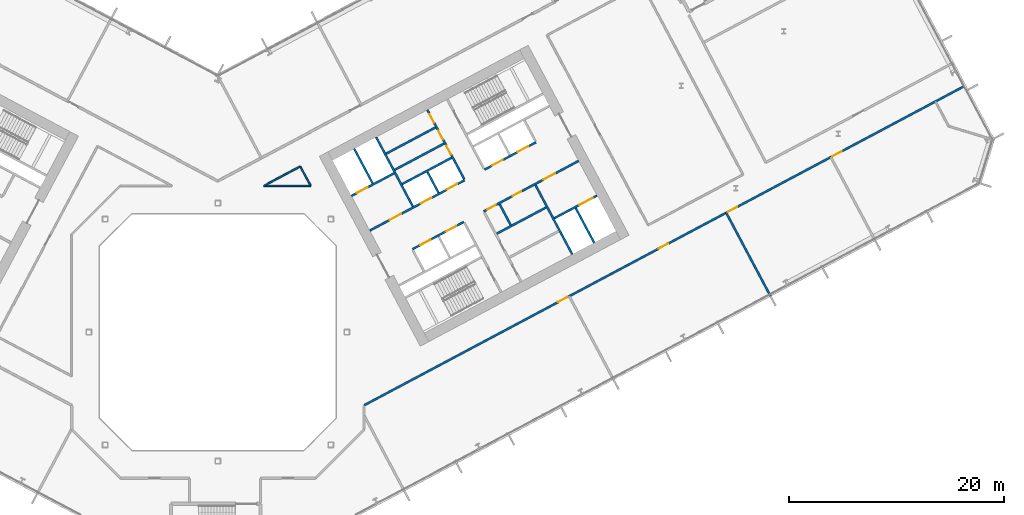
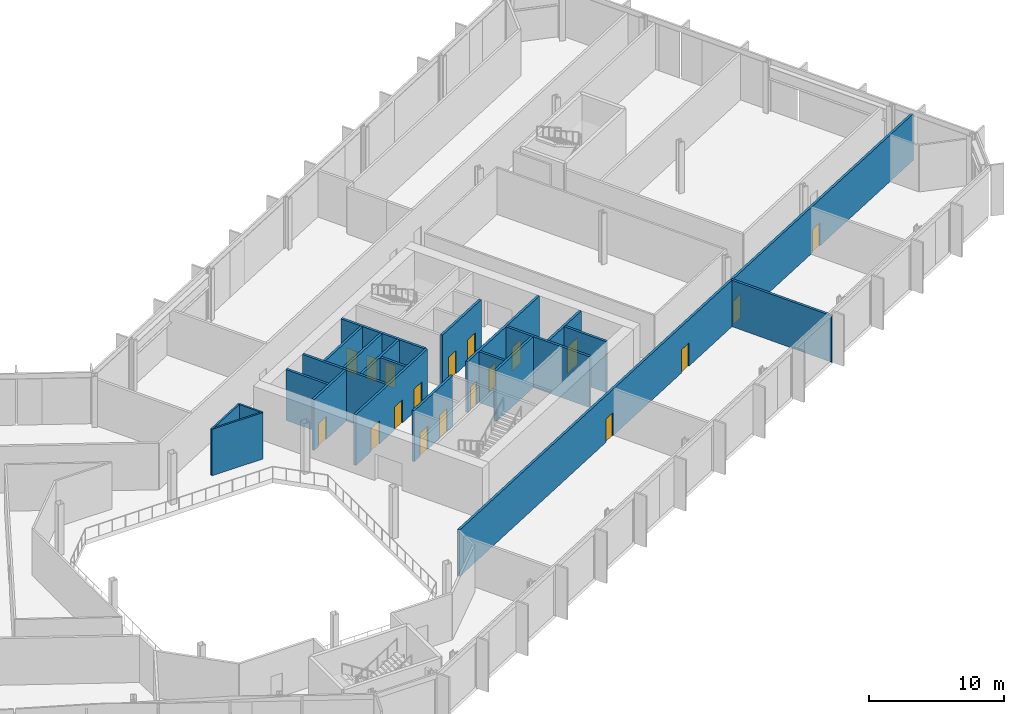
# One storey, part 18 of 32: 22 walls, 19 doors, 19 openings.
"""IFC4 building model written with IfcOpenShell, lengths in metres."""

from ifc_helpers import new_model, si_unit, direction, frame, frame_2d, origin, place, context, subcontext, project, spatial, rectangle, extrude, material, layer, layer_set, type_object, element, fill, save


model = new_model("IFC4")

# Units and contexts
model_context = context("Model", 3, precision=1e-05, world=origin(), true_north=direction((0.0, 1.0)))
body_context = subcontext(model_context, "Body", "Model", "MODEL_VIEW")
ifc_project = project(units=[si_unit("LENGTHUNIT", "METRE"), si_unit("AREAUNIT", "SQUARE_METRE"), si_unit("VOLUMEUNIT", "CUBIC_METRE"), si_unit("PLANEANGLEUNIT", "RADIAN"), si_unit("MASSUNIT", "GRAM", prefix="KILO")], contexts=[model_context])

# Site, building, storey
site_placement = place(None, origin())
site = spatial("IfcSite", under=ifc_project, at=site_placement, CompositionType="ELEMENT")
building_placement = place(site_placement, origin())
building = spatial("IfcBuilding", under=site, at=building_placement, Name="Cormorant Relay Tower", CompositionType="ELEMENT")
storey_placement = place(building_placement, frame((0.0, 0.0, 66.199951171875)))
storey = spatial("IfcBuildingStorey", under=building, at=storey_placement, Name="L12", CompositionType="ELEMENT", Elevation=66.199951171875)

# Walls
ifc_material_1 = material(Name="Concrete 40 MPa", Category="concrete")
ifc_layer_1 = layer(ifc_material_1, 0.199951171875)
ifc_layer_set_1 = layer_set([ifc_layer_1], Name="Core internal wall 200")
wall_type_1 = type_object("IfcWallType", Name="Core internal wall 200", PredefinedType="SOLIDWALL", material=ifc_layer_set_1)
for number, where, z_axis, x_axis, name in (
    (1, (20.522216796875, 12.950439453125, 0.0), (0.0, 0.0, 1.0), (-0.469401318492, 0.882984938828, 0.0), "L12 core B shaft and room wall"),
    (2, (27.236083984375, 9.951416015625, 0.0), (0.0, 0.0, 1.0), (-0.4694473164, 0.882960484464, 0.0), "L12 core B shaft and room wall"),
):
    element("IfcWall", number, at=place(storey_placement, frame(where, z_axis=z_axis, x_axis=x_axis)), inside=storey, type_object=wall_type_1, Name=name, PredefinedType="SOLIDWALL", context=body_context, shape_type="SweptSolid", body=[
        extrude(rectangle(XDim=2.199951171875, YDim=0.199951171875, at=frame_2d((1.10009765625, 0.0))), origin(), (0.0, 0.0, 1.0), 4.60009765625),
    ])
for number, where, z_axis, x_axis, name in (
    (3, (16.442626953125, 15.085205078125, 0.0), (0.0, 0.0, 1.0), (0.882953967957, 0.469459572775, 0.0), "L12 core B shaft and room wall"),
    (4, (15.64453125, 16.586181640625, 0.0), (0.0, 0.0, 1.0), (0.882953967957, 0.469459572775, 0.0), "L12 core B shaft and room wall"),
):
    element("IfcWall", number, at=place(storey_placement, frame(where, z_axis=z_axis, x_axis=x_axis)), inside=storey, type_object=wall_type_1, Name=name, PredefinedType="SOLIDWALL", context=body_context, shape_type="SweptSolid", body=[
        extrude(rectangle(XDim=5.199951171875, YDim=0.199951171875, at=frame_2d((2.60009765625, 0.0))), origin(), (0.0, 0.0, 1.0), 4.60009765625),
    ])
ifc_material_2 = material(Name="Concrete 50 MPa", Category="concrete")
ifc_layer_2 = layer(ifc_material_2, 0.199951171875)
ifc_layer_set_2 = layer_set([ifc_layer_2], Name="Core shaft wall 200")
wall_type_2 = type_object("IfcWallType", Name="Core shaft wall 200", PredefinedType="SHEAR", material=ifc_layer_set_2)
wall_1_placement = place(storey_placement, frame((14.39404296875, 13.825927734375, 0.0), z_axis=(0.0, 0.0, 1.0), x_axis=(-0.469494272526, 0.882935517501, 0.0)))
element("IfcWall", 5, at=wall_1_placement, inside=storey, type_object=wall_type_2, Name="L12 core B shaft wall", PredefinedType="SHEAR", context=body_context, shape_type="SweptSolid", body=[
    extrude(rectangle(XDim=3.64990234375, YDim=0.199951171875, at=frame_2d((1.824951171875, 0.0))), origin(), (0.0, 0.0, 1.0), 4.60009765625),
])
wall_2_placement = place(storey_placement, frame((18.138427734375, 11.682861328125, 0.0), z_axis=(0.0, 0.0, 1.0), x_axis=(-0.469480409012, 0.88294288918, 0.0)))
element("IfcWall", 6, at=wall_2_placement, inside=storey, type_object=wall_type_2, Name="L12 core B shaft wall", PredefinedType="SHEAR", context=body_context, shape_type="SweptSolid", body=[
    extrude(rectangle(XDim=7.300048828125, YDim=0.199951171875, at=frame_2d((3.64990234375, 0.0))), origin(), (0.0, 0.0, 1.0), 4.60009765625),
])

# Wall, openings, doors
wall_3_placement = place(storey_placement, frame((22.90625, 14.218017578125, 0.0), z_axis=(0.0, 0.0, 1.0), x_axis=(-0.469480409012, 0.88294288918, 0.0)))
wall_3 = element("IfcWall", 7, at=wall_3_placement, inside=storey, type_object=wall_type_2, Name="L12 core B shaft wall", PredefinedType="SHEAR", context=body_context, shape_type="SweptSolid", body=[
    extrude(rectangle(XDim=7.300048828125, YDim=0.199951171875, at=frame_2d((3.64990234375, 0.0))), origin(), (0.0, 0.0, 1.0), 4.60009765625),
])
opening_1_placement = place(wall_3_placement, frame((2.60009765625, 0.0, 0.0)))
opening_1 = element("IfcOpeningElement", 8, at=opening_1_placement, cuts=wall_3, Name="Opening CDD-121", PredefinedType="OPENING", context=body_context, shape_type="SweptSolid", body=[
    extrude(rectangle(XDim=0.89990234375, YDim=2.10009765625, at=frame_2d((0.449951171875, 1.050048828125))), frame((0.0, 0.10986328125, 0.0), z_axis=(0.0, -1.0, 0.0), x_axis=(1.0, 0.0, 0.0)), (0.0, 0.0, 1.0), 0.219970703125),
])
opening_2_placement = place(wall_3_placement, frame((4.199951171875, 0.0, 0.0)))
opening_2 = element("IfcOpeningElement", 9, at=opening_2_placement, cuts=wall_3, Name="Opening CDD-122", PredefinedType="OPENING", context=body_context, shape_type="SweptSolid", body=[
    extrude(rectangle(XDim=0.89990234375, YDim=2.10009765625, at=frame_2d((0.449951171875, 1.050048828125))), frame((0.0, 0.10986328125, 0.0), z_axis=(0.0, -1.0, 0.0), x_axis=(1.0, 0.0, 0.0)), (0.0, 0.0, 1.0), 0.219970703125),
])
opening_3_placement = place(wall_3_placement, frame((5.949951171875, 0.0, 0.0)))
opening_3 = element("IfcOpeningElement", 10, at=opening_3_placement, cuts=wall_3, Name="Opening CDD-123", PredefinedType="OPENING", context=body_context, shape_type="SweptSolid", body=[
    extrude(rectangle(XDim=0.89990234375, YDim=2.10009765625, at=frame_2d((0.449951171875, 1.050048828125))), frame((0.0, 0.10986328125, 0.0), z_axis=(0.0, -1.0, 0.0), x_axis=(1.0, 0.0, 0.0)), (0.0, 0.0, 1.0), 0.219970703125),
])
ifc_material_3 = material(Name="Steel fire door", Category="steel")
door_type_1 = type_object("IfcDoorType", Name="Core room door 900x2100", OperationType="SINGLE_SWING_LEFT", PredefinedType="DOOR", material=ifc_material_3)
door_1_placement = place(opening_1_placement, origin())
door_1 = element("IfcDoor", 11, at=door_1_placement, inside=storey, type_object=door_type_1, Name="Core room door 900x2100", OperationType="SINGLE_SWING_RIGHT", OverallHeight=2.10009765625, OverallWidth=0.89990234375, PredefinedType="DOOR", context=body_context, shape_type="SweptSolid", body=[
    extrude(rectangle(XDim=0.89990234375, YDim=2.10009765625, at=frame_2d((0.449951171875, 1.050048828125))), frame((0.0, 0.02490234375, 0.0), z_axis=(0.0, -1.0, 0.0), x_axis=(1.0, 0.0, 0.0)), (0.0, 0.0, 1.0), 0.050048828125),
])
fill(opening_1, door_1)
door_2_placement = place(opening_2_placement, origin())
door_2 = element("IfcDoor", 12, at=door_2_placement, inside=storey, type_object=door_type_1, Name="Core room door 900x2100", OperationType="SINGLE_SWING_RIGHT", OverallHeight=2.10009765625, OverallWidth=0.89990234375, PredefinedType="DOOR", context=body_context, shape_type="SweptSolid", body=[
    extrude(rectangle(XDim=0.89990234375, YDim=2.10009765625, at=frame_2d((0.449951171875, 1.050048828125))), frame((0.0, 0.02490234375, 0.0), z_axis=(0.0, -1.0, 0.0), x_axis=(1.0, 0.0, 0.0)), (0.0, 0.0, 1.0), 0.050048828125),
])
fill(opening_2, door_2)
door_3_placement = place(opening_3_placement, origin())
door_3 = element("IfcDoor", 13, at=door_3_placement, inside=storey, type_object=door_type_1, Name="Core room door 900x2100", OperationType="SINGLE_SWING_LEFT", OverallHeight=2.10009765625, OverallWidth=0.89990234375, PredefinedType="DOOR", context=body_context, shape_type="SweptSolid", body=[
    extrude(rectangle(XDim=0.89990234375, YDim=2.10009765625, at=frame_2d((0.449951171875, 1.050048828125))), frame((0.0, 0.02490234375, 0.0), z_axis=(0.0, -1.0, 0.0), x_axis=(1.0, 0.0, 0.0)), (0.0, 0.0, 1.0), 0.050048828125),
])
fill(opening_3, door_3)

# Walls
wall_4_placement = place(storey_placement, frame((32.968017578125, 7.222900390625, 0.0), z_axis=(0.0, 0.0, 1.0), x_axis=(-0.469480409012, 0.88294288918, 0.0)))
element("IfcWall", 14, at=wall_4_placement, inside=storey, type_object=wall_type_2, Name="L12 core B shaft wall", PredefinedType="SHEAR", context=body_context, shape_type="SweptSolid", body=[
    extrude(rectangle(XDim=7.300048828125, YDim=0.199951171875, at=frame_2d((3.64990234375, 0.0))), origin(), (0.0, 0.0, 1.0), 4.60009765625),
])
wall_5_placement = place(storey_placement, frame((34.998779296875, 8.302734375, 0.0), z_axis=(0.0, 0.0, 1.0), x_axis=(-0.4694665462, 0.882950260207, 0.0)))
element("IfcWall", 15, at=wall_5_placement, inside=storey, type_object=wall_type_2, Name="L12 core B shaft wall", PredefinedType="SHEAR", context=body_context, shape_type="SweptSolid", body=[
    extrude(rectangle(XDim=3.650146484375, YDim=0.199951171875, at=frame_2d((1.8251953125, 0.0))), origin(), (0.0, 0.0, 1.0), 4.60009765625),
])

# Wall, opening, door
wall_6_placement = place(storey_placement, frame((31.295654296875, 10.5810546875, 0.0), z_axis=(0.0, 0.0, 1.0), x_axis=(0.882960433586, 0.469447412093, 0.0)))
wall_6 = element("IfcWall", 16, at=wall_6_placement, inside=storey, type_object=wall_type_2, Name="L12 core B shaft wall", PredefinedType="SHEAR", context=body_context, shape_type="SweptSolid", body=[
    extrude(rectangle(XDim=4.5, YDim=0.199951171875, at=frame_2d((2.25, 0.0))), origin(), (0.0, 0.0, 1.0), 4.60009765625),
])
opening_4_placement = place(wall_6_placement, frame((2.64990234375, 0.0, 0.0)))
opening_4 = element("IfcOpeningElement", 17, at=opening_4_placement, cuts=wall_6, Name="Opening LD3-010", PredefinedType="OPENING", context=body_context, shape_type="SweptSolid", body=[
    extrude(rectangle(XDim=1.39990234375, YDim=2.39990234375, at=frame_2d((0.699951171875, 1.199951171875))), frame((0.0, 0.10986328125, 0.0), z_axis=(0.0, -1.0, 0.0), x_axis=(1.0, 0.0, 0.0)), (0.0, 0.0, 1.0), 0.219970703125),
])
ifc_material_4 = material(Name="Stainless steel 316", Category="steel")
door_type_2 = type_object("IfcDoorType", Name="Lift landing door 1400x2400", OperationType="DOUBLE_DOOR_SLIDING", PredefinedType="DOOR", material=ifc_material_4)
door_4_placement = place(opening_4_placement, origin())
door_4 = element("IfcDoor", 18, at=door_4_placement, inside=storey, type_object=door_type_2, Name="SV2 landing door", OperationType="DOUBLE_DOOR_SLIDING", OverallHeight=2.39990234375, OverallWidth=1.39990234375, PredefinedType="DOOR", context=body_context, shape_type="SweptSolid", body=[
    extrude(rectangle(XDim=1.39990234375, YDim=2.39990234375, at=frame_2d((0.699951171875, 1.199951171875))), frame((0.0, 0.02490234375, 0.0), z_axis=(0.0, -1.0, 0.0), x_axis=(1.0, 0.0, 0.0)), (0.0, 0.0, 1.0), 0.050048828125),
])
fill(opening_4, door_4)

# Wall
wall_7_placement = place(storey_placement, frame((25.94091796875, 9.149658203125, 0.0), z_axis=(0.0, 0.0, 1.0), x_axis=(0.882953967957, 0.469459572775, 0.0)))
element("IfcWall", 19, at=wall_7_placement, inside=storey, type_object=wall_type_2, Name="L12 core B shaft wall", PredefinedType="SHEAR", context=body_context, shape_type="SweptSolid", body=[
    extrude(rectangle(XDim=5.199951171875, YDim=0.199951171875, at=frame_2d((2.60009765625, 0.0))), origin(), (0.0, 0.0, 1.0), 4.60009765625),
])

# Wall, openings, doors
wall_8_placement = place(storey_placement, frame((18.103759765625, 7.70068359375, 0.0), z_axis=(0.0, 0.0, 1.0), x_axis=(0.882952937579, 0.469461510692, 0.0)))
wall_8 = element("IfcWall", 20, at=wall_8_placement, inside=storey, type_object=wall_type_2, Name="L12 core B shaft wall", PredefinedType="SHEAR", context=body_context, shape_type="SweptSolid", body=[
    extrude(rectangle(XDim=5.400146484375, YDim=0.199951171875, at=frame_2d((2.7001953125, 0.0))), origin(), (0.0, 0.0, 1.0), 4.60009765625),
])
opening_5_placement = place(wall_8_placement, frame((0.800048828125, 0.0, 0.0)))
opening_5 = element("IfcOpeningElement", 21, at=opening_5_placement, cuts=wall_8, Name="Opening LD1-032", PredefinedType="OPENING", context=body_context, shape_type="SweptSolid", body=[
    extrude(rectangle(XDim=1.10009765625, YDim=2.10009765625, at=frame_2d((0.550048828125, 1.050048828125))), frame((0.0, 0.10986328125, 0.0), z_axis=(0.0, -1.0, 0.0), x_axis=(1.0, 0.0, 0.0)), (0.0, 0.0, 1.0), 0.219970703125),
])
opening_6_placement = place(wall_8_placement, frame((3.5, 0.0, 0.0)))
opening_6 = element("IfcOpeningElement", 22, at=opening_6_placement, cuts=wall_8, Name="Opening LD1-033", PredefinedType="OPENING", context=body_context, shape_type="SweptSolid", body=[
    extrude(rectangle(XDim=1.10009765625, YDim=2.10009765625, at=frame_2d((0.550048828125, 1.050048828125))), frame((0.0, 0.10986328125, 0.0), z_axis=(0.0, -1.0, 0.0), x_axis=(1.0, 0.0, 0.0)), (0.0, 0.0, 1.0), 0.219970703125),
])
ifc_material_5 = material(Name="Stainless steel 316", Category="steel")
door_type_3 = type_object("IfcDoorType", Name="Lift landing door 1100x2100", OperationType="DOUBLE_DOOR_SLIDING", PredefinedType="DOOR", material=ifc_material_5)
door_5_placement = place(opening_5_placement, origin())
door_5 = element("IfcDoor", 23, at=door_5_placement, inside=storey, type_object=door_type_3, Name="LR5 landing door", OperationType="DOUBLE_DOOR_SLIDING", OverallHeight=2.10009765625, OverallWidth=1.10009765625, PredefinedType="DOOR", context=body_context, shape_type="SweptSolid", body=[
    extrude(rectangle(XDim=1.10009765625, YDim=2.10009765625, at=frame_2d((0.550048828125, 1.050048828125))), frame((0.0, 0.02490234375, 0.0), z_axis=(0.0, -1.0, 0.0), x_axis=(1.0, 0.0, 0.0)), (0.0, 0.0, 1.0), 0.050048828125),
])
fill(opening_5, door_5)
door_6_placement = place(opening_6_placement, origin())
door_6 = element("IfcDoor", 24, at=door_6_placement, inside=storey, type_object=door_type_3, Name="LR6 landing door", OperationType="DOUBLE_DOOR_SLIDING", OverallHeight=2.10009765625, OverallWidth=1.10009765625, PredefinedType="DOOR", context=body_context, shape_type="SweptSolid", body=[
    extrude(rectangle(XDim=1.10009765625, YDim=2.10009765625, at=frame_2d((0.550048828125, 1.050048828125))), frame((0.0, 0.02490234375, 0.0), z_axis=(0.0, -1.0, 0.0), x_axis=(1.0, 0.0, 0.0)), (0.0, 0.0, 1.0), 0.050048828125),
])
fill(opening_6, door_6)

wall_9_placement = place(storey_placement, frame((24.72607421875, 11.2216796875, 0.0), z_axis=(0.0, 0.0, 1.0), x_axis=(0.882940221191, 0.469485426614, 0.0)))
wall_9 = element("IfcWall", 25, at=wall_9_placement, inside=storey, type_object=wall_type_2, Name="L12 core B shaft wall", PredefinedType="SHEAR", context=body_context, shape_type="SweptSolid", body=[
    extrude(rectangle(XDim=10.0, YDim=0.199951171875, at=frame_2d((5.0, 0.0))), origin(), (0.0, 0.0, 1.0), 4.60009765625),
])
opening_7_placement = place(wall_9_placement, frame((6.300048828125, 0.0, 0.0)))
opening_7 = element("IfcOpeningElement", 26, at=opening_7_placement, cuts=wall_9, Name="Opening CDC-020", PredefinedType="OPENING", context=body_context, shape_type="SweptSolid", body=[
    extrude(rectangle(XDim=1.199951171875, YDim=2.10009765625, at=frame_2d((0.60009765625, 1.050048828125))), frame((0.0, 0.10986328125, 0.0), z_axis=(0.0, -1.0, 0.0), x_axis=(1.0, 0.0, 0.0)), (0.0, 0.0, 1.0), 0.219970703125),
])
opening_8_placement = place(wall_9_placement, frame((0.360107421875, 0.0, 0.0)))
opening_8 = element("IfcOpeningElement", 27, at=opening_8_placement, cuts=wall_9, Name="Opening CDD-119", PredefinedType="OPENING", context=body_context, shape_type="SweptSolid", body=[
    extrude(rectangle(XDim=0.89990234375, YDim=2.10009765625, at=frame_2d((0.449951171875, 1.050048828125))), frame((0.0, 0.10986328125, 0.0), z_axis=(0.0, -1.0, 0.0), x_axis=(1.0, 0.0, 0.0)), (0.0, 0.0, 1.0), 0.219970703125),
])
opening_9_placement = place(wall_9_placement, frame((3.06005859375, 0.0, 0.0)))
opening_9 = element("IfcOpeningElement", 28, at=opening_9_placement, cuts=wall_9, Name="Opening CDD-120", PredefinedType="OPENING", context=body_context, shape_type="SweptSolid", body=[
    extrude(rectangle(XDim=0.89990234375, YDim=2.10009765625, at=frame_2d((0.449951171875, 1.050048828125))), frame((0.0, 0.10986328125, 0.0), z_axis=(0.0, -1.0, 0.0), x_axis=(1.0, 0.0, 0.0)), (0.0, 0.0, 1.0), 0.219970703125),
])
ifc_material_6 = material(Name="Steel fire door", Category="steel")
door_type_4 = type_object("IfcDoorType", Name="Core lobby door 1200x2100", OperationType="SINGLE_SWING_LEFT", PredefinedType="DOOR", material=ifc_material_6)
door_7_placement = place(opening_7_placement, frame((1.199951171875, 0.0, 0.0), z_axis=(0.0, 0.0, 1.0), x_axis=(-1.0, 0.0, 0.0)))
door_7 = element("IfcDoor", 29, at=door_7_placement, inside=storey, type_object=door_type_4, Name="Core lobby door 1200x2100", OperationType="SINGLE_SWING_RIGHT", OverallHeight=2.10009765625, OverallWidth=1.199951171875, PredefinedType="DOOR", context=body_context, shape_type="SweptSolid", body=[
    extrude(rectangle(XDim=1.199951171875, YDim=2.10009765625, at=frame_2d((0.60009765625, 1.050048828125))), frame((0.0, 0.02490234375, 0.0), z_axis=(0.0, -1.0, 0.0), x_axis=(1.0, 0.0, 0.0)), (0.0, 0.0, 1.0), 0.050048828125),
])
fill(opening_7, door_7)
door_8_placement = place(opening_8_placement, frame((0.89990234375, 0.0, 0.0), z_axis=(0.0, 0.0, 1.0), x_axis=(-1.0, 0.0, 0.0)))
door_8 = element("IfcDoor", 30, at=door_8_placement, inside=storey, type_object=door_type_1, Name="Core room door 900x2100", OperationType="SINGLE_SWING_RIGHT", OverallHeight=2.10009765625, OverallWidth=0.89990234375, PredefinedType="DOOR", context=body_context, shape_type="SweptSolid", body=[
    extrude(rectangle(XDim=0.89990234375, YDim=2.10009765625, at=frame_2d((0.449951171875, 1.050048828125))), frame((0.0, 0.02490234375, 0.0), z_axis=(0.0, -1.0, 0.0), x_axis=(1.0, 0.0, 0.0)), (0.0, 0.0, 1.0), 0.050048828125),
])
fill(opening_8, door_8)
door_9_placement = place(opening_9_placement, frame((0.89990234375, 0.0, 0.0), z_axis=(0.0, 0.0, 1.0), x_axis=(-1.0, 0.0, 0.0)))
door_9 = element("IfcDoor", 31, at=door_9_placement, inside=storey, type_object=door_type_1, Name="Core room door 900x2100", OperationType="SINGLE_SWING_RIGHT", OverallHeight=2.10009765625, OverallWidth=0.89990234375, PredefinedType="DOOR", context=body_context, shape_type="SweptSolid", body=[
    extrude(rectangle(XDim=0.89990234375, YDim=2.10009765625, at=frame_2d((0.449951171875, 1.050048828125))), frame((0.0, 0.02490234375, 0.0), z_axis=(0.0, -1.0, 0.0), x_axis=(1.0, 0.0, 0.0)), (0.0, 0.0, 1.0), 0.050048828125),
])
fill(opening_9, door_9)

wall_10_placement = place(storey_placement, frame((14.123779296875, 9.43505859375, 0.0), z_axis=(0.0, 0.0, 1.0), x_axis=(0.882940221191, 0.469485426614, 0.0)))
wall_10 = element("IfcWall", 32, at=wall_10_placement, inside=storey, type_object=wall_type_2, Name="L12 core B shaft wall", PredefinedType="SHEAR", context=body_context, shape_type="SweptSolid", body=[
    extrude(rectangle(XDim=10.0, YDim=0.199951171875, at=frame_2d((5.0, 0.0))), origin(), (0.0, 0.0, 1.0), 4.60009765625),
])
opening_10_placement = place(wall_10_placement, frame((2.10009765625, 0.0, 0.0)))
opening_10 = element("IfcOpeningElement", 33, at=opening_10_placement, cuts=wall_10, Name="Opening CDC-019", PredefinedType="OPENING", context=body_context, shape_type="SweptSolid", body=[
    extrude(rectangle(XDim=1.199951171875, YDim=2.10009765625, at=frame_2d((0.60009765625, 1.050048828125))), frame((0.0, 0.10986328125, 0.0), z_axis=(0.0, -1.0, 0.0), x_axis=(1.0, 0.0, 0.0)), (0.0, 0.0, 1.0), 0.219970703125),
])
opening_11_placement = place(wall_10_placement, frame((5.39990234375, 0.0, 0.0)))
opening_11 = element("IfcOpeningElement", 34, at=opening_11_placement, cuts=wall_10, Name="Opening LD1-028", PredefinedType="OPENING", context=body_context, shape_type="SweptSolid", body=[
    extrude(rectangle(XDim=1.10009765625, YDim=2.10009765625, at=frame_2d((0.550048828125, 1.050048828125))), frame((0.0, 0.10986328125, 0.0), z_axis=(0.0, -1.0, 0.0), x_axis=(1.0, 0.0, 0.0)), (0.0, 0.0, 1.0), 0.219970703125),
])
opening_12_placement = place(wall_10_placement, frame((8.10009765625, 0.0, 0.0)))
opening_12 = element("IfcOpeningElement", 35, at=opening_12_placement, cuts=wall_10, Name="Opening LD1-029", PredefinedType="OPENING", context=body_context, shape_type="SweptSolid", body=[
    extrude(rectangle(XDim=1.10009765625, YDim=2.10009765625, at=frame_2d((0.550048828125, 1.050048828125))), frame((0.0, 0.10986328125, 0.0), z_axis=(0.0, -1.0, 0.0), x_axis=(1.0, 0.0, 0.0)), (0.0, 0.0, 1.0), 0.219970703125),
])
door_10_placement = place(opening_10_placement, origin())
door_10 = element("IfcDoor", 36, at=door_10_placement, inside=storey, type_object=door_type_4, Name="Core lobby door 1200x2100", OperationType="SINGLE_SWING_RIGHT", OverallHeight=2.10009765625, OverallWidth=1.199951171875, PredefinedType="DOOR", context=body_context, shape_type="SweptSolid", body=[
    extrude(rectangle(XDim=1.199951171875, YDim=2.10009765625, at=frame_2d((0.60009765625, 1.050048828125))), frame((0.0, 0.02490234375, 0.0), z_axis=(0.0, -1.0, 0.0), x_axis=(1.0, 0.0, 0.0)), (0.0, 0.0, 1.0), 0.050048828125),
])
fill(opening_10, door_10)
door_11_placement = place(opening_11_placement, origin())
door_11 = element("IfcDoor", 37, at=door_11_placement, inside=storey, type_object=door_type_3, Name="LR1 landing door", OperationType="DOUBLE_DOOR_SLIDING", OverallHeight=2.10009765625, OverallWidth=1.10009765625, PredefinedType="DOOR", context=body_context, shape_type="SweptSolid", body=[
    extrude(rectangle(XDim=1.10009765625, YDim=2.10009765625, at=frame_2d((0.550048828125, 1.050048828125))), frame((0.0, 0.02490234375, 0.0), z_axis=(0.0, -1.0, 0.0), x_axis=(1.0, 0.0, 0.0)), (0.0, 0.0, 1.0), 0.050048828125),
])
fill(opening_11, door_11)
door_12_placement = place(opening_12_placement, origin())
door_12 = element("IfcDoor", 38, at=door_12_placement, inside=storey, type_object=door_type_3, Name="LR2 landing door", OperationType="DOUBLE_DOOR_SLIDING", OverallHeight=2.10009765625, OverallWidth=1.10009765625, PredefinedType="DOOR", context=body_context, shape_type="SweptSolid", body=[
    extrude(rectangle(XDim=1.10009765625, YDim=2.10009765625, at=frame_2d((0.550048828125, 1.050048828125))), frame((0.0, 0.02490234375, 0.0), z_axis=(0.0, -1.0, 0.0), x_axis=(1.0, 0.0, 0.0)), (0.0, 0.0, 1.0), 0.050048828125),
])
fill(opening_12, door_12)

wall_11_placement = place(storey_placement, frame((24.807373046875, 15.11572265625, 0.0), z_axis=(0.0, 0.0, 1.0), x_axis=(0.882942972946, 0.469480251476, 0.0)))
wall_11 = element("IfcWall", 39, at=wall_11_placement, inside=storey, type_object=wall_type_2, Name="L12 core B shaft wall", PredefinedType="SHEAR", context=body_context, shape_type="SweptSolid", body=[
    extrude(rectangle(XDim=5.39990234375, YDim=0.199951171875, at=frame_2d((2.699951171875, 0.0))), origin(), (0.0, 0.0, 1.0), 4.60009765625),
])
opening_13_placement = place(wall_11_placement, frame((0.800048828125, 0.0, 0.0)))
opening_13 = element("IfcOpeningElement", 40, at=opening_13_placement, cuts=wall_11, Name="Opening LD1-030", PredefinedType="OPENING", context=body_context, shape_type="SweptSolid", body=[
    extrude(rectangle(XDim=1.10009765625, YDim=2.10009765625, at=frame_2d((0.550048828125, 1.050048828125))), frame((0.0, 0.10986328125, 0.0), z_axis=(0.0, -1.0, 0.0), x_axis=(1.0, 0.0, 0.0)), (0.0, 0.0, 1.0), 0.219970703125),
])
opening_14_placement = place(wall_11_placement, frame((3.5, 0.0, 0.0)))
opening_14 = element("IfcOpeningElement", 41, at=opening_14_placement, cuts=wall_11, Name="Opening LD1-031", PredefinedType="OPENING", context=body_context, shape_type="SweptSolid", body=[
    extrude(rectangle(XDim=1.10009765625, YDim=2.10009765625, at=frame_2d((0.550048828125, 1.050048828125))), frame((0.0, 0.10986328125, 0.0), z_axis=(0.0, -1.0, 0.0), x_axis=(1.0, 0.0, 0.0)), (0.0, 0.0, 1.0), 0.219970703125),
])
door_13_placement = place(opening_13_placement, origin())
door_13 = element("IfcDoor", 42, at=door_13_placement, inside=storey, type_object=door_type_3, Name="LR3 landing door", OperationType="DOUBLE_DOOR_SLIDING", OverallHeight=2.10009765625, OverallWidth=1.10009765625, PredefinedType="DOOR", context=body_context, shape_type="SweptSolid", body=[
    extrude(rectangle(XDim=1.10009765625, YDim=2.10009765625, at=frame_2d((0.550048828125, 1.050048828125))), frame((0.0, 0.02490234375, 0.0), z_axis=(0.0, -1.0, 0.0), x_axis=(1.0, 0.0, 0.0)), (0.0, 0.0, 1.0), 0.050048828125),
])
fill(opening_13, door_13)
door_14_placement = place(opening_14_placement, origin())
door_14 = element("IfcDoor", 43, at=door_14_placement, inside=storey, type_object=door_type_3, Name="LR4 landing door", OperationType="DOUBLE_DOOR_SLIDING", OverallHeight=2.10009765625, OverallWidth=1.10009765625, PredefinedType="DOOR", context=body_context, shape_type="SweptSolid", body=[
    extrude(rectangle(XDim=1.10009765625, YDim=2.10009765625, at=frame_2d((0.550048828125, 1.050048828125))), frame((0.0, 0.02490234375, 0.0), z_axis=(0.0, -1.0, 0.0), x_axis=(1.0, 0.0, 0.0)), (0.0, 0.0, 1.0), 0.050048828125),
])
fill(opening_14, door_14)

# Wall
wall_12_placement = place(storey_placement, frame((17.146728515625, 13.7607421875, 0.0), z_axis=(0.0, 0.0, 1.0), x_axis=(0.882964314875, 0.469440111896, 0.0)))
element("IfcWall", 44, at=wall_12_placement, inside=storey, type_object=wall_type_2, Name="L12 core B shaft wall", PredefinedType="SHEAR", context=body_context, shape_type="SweptSolid", body=[
    extrude(rectangle(XDim=5.2001953125, YDim=0.199951171875, at=frame_2d((2.60009765625, 0.0))), origin(), (0.0, 0.0, 1.0), 4.60009765625),
])

# Wall, opening, door
wall_13_placement = place(storey_placement, frame((12.41015625, 12.657958984375, 0.0), z_axis=(0.0, 0.0, 1.0), x_axis=(0.8829484765, 0.469469900894, 0.0)))
wall_13 = element("IfcWall", 45, at=wall_13_placement, inside=storey, type_object=wall_type_2, Name="L12 core B shaft wall", PredefinedType="SHEAR", context=body_context, shape_type="SweptSolid", body=[
    extrude(rectangle(XDim=4.499755859375, YDim=0.199951171875, at=frame_2d((2.25, 0.0))), origin(), (0.0, 0.0, 1.0), 4.60009765625),
])
opening_15_placement = place(wall_13_placement, frame((0.60009765625, 0.0, 0.0)))
opening_15 = element("IfcOpeningElement", 46, at=opening_15_placement, cuts=wall_13, Name="Opening LD1-034", PredefinedType="OPENING", context=body_context, shape_type="SweptSolid", body=[
    extrude(rectangle(XDim=1.10009765625, YDim=2.10009765625, at=frame_2d((0.550048828125, 1.050048828125))), frame((0.0, 0.10986328125, 0.0), z_axis=(0.0, -1.0, 0.0), x_axis=(1.0, 0.0, 0.0)), (0.0, 0.0, 1.0), 0.219970703125),
])
door_15_placement = place(opening_15_placement, origin())
door_15 = element("IfcDoor", 47, at=door_15_placement, inside=storey, type_object=door_type_3, Name="FF2 landing door", OperationType="DOUBLE_DOOR_SLIDING", OverallHeight=2.10009765625, OverallWidth=1.10009765625, PredefinedType="DOOR", context=body_context, shape_type="SweptSolid", body=[
    extrude(rectangle(XDim=1.10009765625, YDim=2.10009765625, at=frame_2d((0.550048828125, 1.050048828125))), frame((0.0, 0.02490234375, 0.0), z_axis=(0.0, -1.0, 0.0), x_axis=(1.0, 0.0, 0.0)), (0.0, 0.0, 1.0), 0.050048828125),
])
fill(opening_15, door_15)

# Wall, openings, doors
ifc_material_7 = material(Name="Fire-rated gypsum board partition")
ifc_layer_3 = layer(ifc_material_7, 0.199951171875)
ifc_layer_set_3 = layer_set([ifc_layer_3], Name="Fire-rated gypsum partition 200")
wall_type_3 = type_object("IfcWallType", Name="Fire-rated gypsum partition 200", PredefinedType="PARTITIONING", material=ifc_layer_set_3)
wall_14_placement = place(storey_placement, frame((69.570068359375, 22.947998046875, 0.0), z_axis=(0.0, 0.0, 1.0), x_axis=(-0.882939582192, -0.469486628349, 0.0)))
wall_14 = element("IfcWall", 48, at=wall_14_placement, inside=storey, type_object=wall_type_3, Name="wall/L12/part/35", PredefinedType="PARTITIONING", context=body_context, shape_type="SweptSolid", body=[
    extrude(rectangle(XDim=63.390380859375, YDim=0.199951171875, at=frame_2d((31.6953125, 0.0))), origin(), (0.0, 0.0, 1.0), 4.199951171875),
])
opening_16_placement = place(wall_14_placement, frame((41.970947265625, 0.0, 0.0)))
opening_16 = element("IfcOpeningElement", 49, at=opening_16_placement, cuts=wall_14, Name="Opening FD1-077", PredefinedType="OPENING", context=body_context, shape_type="SweptSolid", body=[
    extrude(rectangle(XDim=1.0, YDim=2.10009765625, at=frame_2d((0.5, 1.050048828125))), frame((0.0, 0.10986328125, 0.0), z_axis=(0.0, -1.0, 0.0), x_axis=(1.0, 0.0, 0.0)), (0.0, 0.0, 1.0), 0.219970703125),
])
opening_17_placement = place(wall_14_placement, frame((31.37109375, 0.0, 0.0)))
opening_17 = element("IfcOpeningElement", 50, at=opening_17_placement, cuts=wall_14, Name="Opening FD1-078", PredefinedType="OPENING", context=body_context, shape_type="SweptSolid", body=[
    extrude(rectangle(XDim=1.0, YDim=2.10009765625, at=frame_2d((0.5, 1.050048828125))), frame((0.0, 0.10986328125, 0.0), z_axis=(0.0, -1.0, 0.0), x_axis=(1.0, 0.0, 0.0)), (0.0, 0.0, 1.0), 0.219970703125),
])
opening_18_placement = place(wall_14_placement, frame((24.071044921875, 0.0, 0.0)))
opening_18 = element("IfcOpeningElement", 51, at=opening_18_placement, cuts=wall_14, Name="Opening FD1-079", PredefinedType="OPENING", context=body_context, shape_type="SweptSolid", body=[
    extrude(rectangle(XDim=1.0, YDim=2.10009765625, at=frame_2d((0.5, 1.050048828125))), frame((0.0, 0.10986328125, 0.0), z_axis=(0.0, -1.0, 0.0), x_axis=(1.0, 0.0, 0.0)), (0.0, 0.0, 1.0), 0.219970703125),
])
opening_19_placement = place(wall_14_placement, frame((13.071044921875, 0.0, 0.0)))
opening_19 = element("IfcOpeningElement", 52, at=opening_19_placement, cuts=wall_14, Name="Opening FD1-080", PredefinedType="OPENING", context=body_context, shape_type="SweptSolid", body=[
    extrude(rectangle(XDim=1.0, YDim=2.10009765625, at=frame_2d((0.5, 1.050048828125))), frame((0.0, 0.10986328125, 0.0), z_axis=(0.0, -1.0, 0.0), x_axis=(1.0, 0.0, 0.0)), (0.0, 0.0, 1.0), 0.219970703125),
])
ifc_material_8 = material(Name="Fire-rated steel door", Category="steel")
door_type_5 = type_object("IfcDoorType", Name="Fire door 1000 x 2100", OperationType="SINGLE_SWING_LEFT", PredefinedType="DOOR", material=ifc_material_8)
door_16_placement = place(opening_16_placement, origin())
door_16 = element("IfcDoor", 53, at=door_16_placement, inside=storey, type_object=door_type_5, Name="door/L12/13", OperationType="SINGLE_SWING_LEFT", OverallHeight=2.10009765625, OverallWidth=1.0, PredefinedType="DOOR", context=body_context, shape_type="SweptSolid", body=[
    extrude(rectangle(XDim=1.0, YDim=2.10009765625, at=frame_2d((0.5, 1.050048828125))), frame((0.0, 0.02490234375, 0.0), z_axis=(0.0, -1.0, 0.0), x_axis=(1.0, 0.0, 0.0)), (0.0, 0.0, 1.0), 0.050048828125),
])
fill(opening_16, door_16)
door_17_placement = place(opening_17_placement, origin())
door_17 = element("IfcDoor", 54, at=door_17_placement, inside=storey, type_object=door_type_5, Name="door/L12/14", OperationType="SINGLE_SWING_RIGHT", OverallHeight=2.10009765625, OverallWidth=1.0, PredefinedType="DOOR", context=body_context, shape_type="SweptSolid", body=[
    extrude(rectangle(XDim=1.0, YDim=2.10009765625, at=frame_2d((0.5, 1.050048828125))), frame((0.0, 0.02490234375, 0.0), z_axis=(0.0, -1.0, 0.0), x_axis=(1.0, 0.0, 0.0)), (0.0, 0.0, 1.0), 0.050048828125),
])
fill(opening_17, door_17)
door_18_placement = place(opening_18_placement, origin())
door_18 = element("IfcDoor", 55, at=door_18_placement, inside=storey, type_object=door_type_5, Name="door/L12/15", OperationType="SINGLE_SWING_RIGHT", OverallHeight=2.10009765625, OverallWidth=1.0, PredefinedType="DOOR", context=body_context, shape_type="SweptSolid", body=[
    extrude(rectangle(XDim=1.0, YDim=2.10009765625, at=frame_2d((0.5, 1.050048828125))), frame((0.0, 0.02490234375, 0.0), z_axis=(0.0, -1.0, 0.0), x_axis=(1.0, 0.0, 0.0)), (0.0, 0.0, 1.0), 0.050048828125),
])
fill(opening_18, door_18)
door_19_placement = place(opening_19_placement, origin())
door_19 = element("IfcDoor", 56, at=door_19_placement, inside=storey, type_object=door_type_5, Name="door/L12/16", OperationType="SINGLE_SWING_RIGHT", OverallHeight=2.10009765625, OverallWidth=1.0, PredefinedType="DOOR", context=body_context, shape_type="SweptSolid", body=[
    extrude(rectangle(XDim=1.0, YDim=2.10009765625, at=frame_2d((0.5, 1.050048828125))), frame((0.0, 0.02490234375, 0.0), z_axis=(0.0, -1.0, 0.0), x_axis=(1.0, 0.0, 0.0)), (0.0, 0.0, 1.0), 0.050048828125),
])
fill(opening_19, door_19)

# Walls
wall_15_placement = place(storey_placement, frame((47.278076171875, 11.093994140625, 0.0), z_axis=(0.0, 0.0, 1.0), x_axis=(0.469337789067, -0.883018708609, 0.0)))
element("IfcWall", 57, at=wall_15_placement, inside=storey, type_object=wall_type_3, Name="wall/L12/part/43", PredefinedType="PARTITIONING", context=body_context, shape_type="SweptSolid", body=[
    extrude(rectangle(XDim=8.79931640625, YDim=0.199951171875, at=frame_2d((4.399658203125, 0.0))), origin(), (0.0, 0.0, 1.0), 4.199951171875),
])
ifc_material_9 = material(Name="Gypsum board partition")
ifc_layer_4 = layer(ifc_material_9, 0.14990234375)
ifc_layer_set_4 = layer_set([ifc_layer_4], Name="Gypsum board partition 150")
wall_type_4 = type_object("IfcWallType", Name="Gypsum board partition 150", PredefinedType="PARTITIONING", material=ifc_layer_set_4)
wall_16_placement = place(storey_placement, frame((8.625, 13.60009765625, 0.0), z_axis=(0.0, 0.0, 1.0), x_axis=(-0.469420518513, 0.882974731688, 0.0)))
element("IfcWall", 58, at=wall_16_placement, inside=storey, type_object=wall_type_4, Name="wall/L12/part/61", PredefinedType="PARTITIONING", context=body_context, shape_type="SweptSolid", body=[
    extrude(rectangle(XDim=2.040771484375, YDim=0.14990234375, at=frame_2d((1.0205078125, 0.0))), origin(), (0.0, 0.0, 1.0), 4.199951171875),
])
wall_17_placement = place(storey_placement, frame((7.6669921875, 15.402099609375, 0.0), z_axis=(0.0, 0.0, 1.0), x_axis=(-0.882994654303, -0.469383042378, 0.0)))
element("IfcWall", 59, at=wall_17_placement, inside=storey, type_object=wall_type_4, Name="wall/L12/part/62", PredefinedType="PARTITIONING", context=body_context, shape_type="SweptSolid", body=[
    extrude(rectangle(XDim=3.839111328125, YDim=0.14990234375, at=frame_2d((1.91943359375, 0.0))), origin(), (0.0, 0.0, 1.0), 4.199951171875),
])
wall_18_placement = place(storey_placement, frame((4.277099609375, 13.60009765625, 0.0), z_axis=(0.0, 0.0, 1.0), x_axis=(1.0, 0.0, 0.0)))
element("IfcWall", 60, at=wall_18_placement, inside=storey, type_object=wall_type_4, Name="wall/L12/part/63", PredefinedType="PARTITIONING", context=body_context, shape_type="SweptSolid", body=[
    extrude(rectangle(XDim=4.347900390625, YDim=0.14990234375, at=frame_2d((2.173828125, 0.0))), origin(), (0.0, 0.0, 1.0), 4.199951171875),
])

save(model, "model.ifc")
